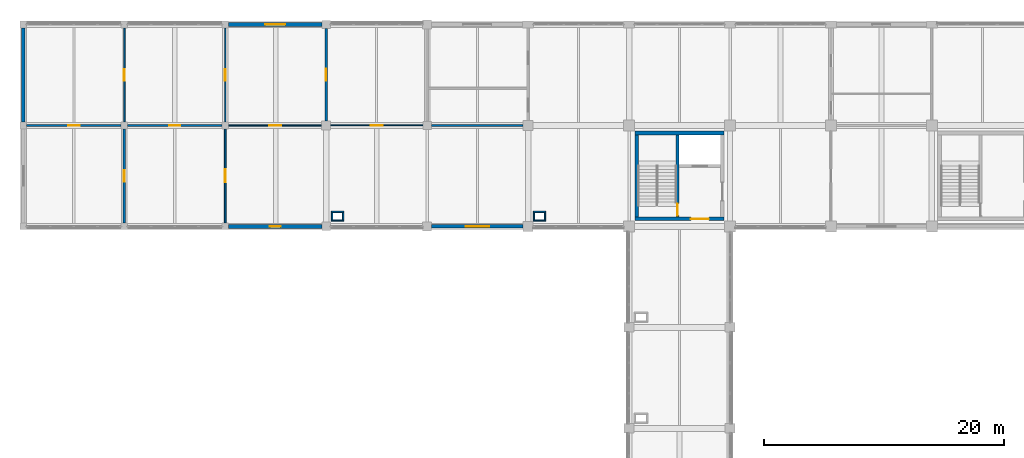
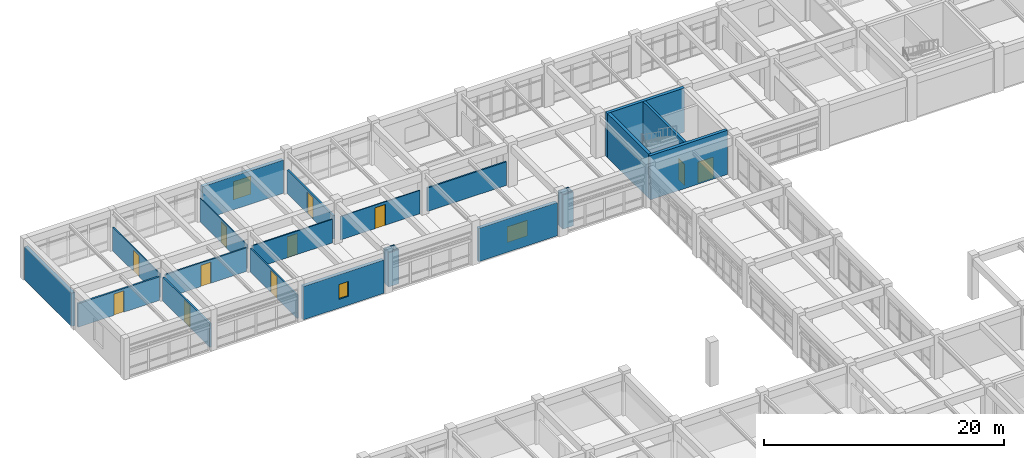
# One storey, part 86 of 99: 26 walls, 11 doors, 3 windows, 14 openings.
"""IFC4 building model written with IfcOpenShell, lengths in metres."""

from ifc_helpers import new_model, si_unit, direction, frame, frame_2d, origin, place, context, subcontext, project, spatial, rectangle, extrude, material, layer, layer_set, type_object, element, fill, save


model = new_model("IFC4")

# Units and contexts
model_context = context("Model", 3, precision=1e-05, world=origin(), true_north=direction((0.0, 1.0)))
body_context = subcontext(model_context, "Body", "Model", "MODEL_VIEW")
ifc_project = project(units=[si_unit("LENGTHUNIT", "METRE"), si_unit("AREAUNIT", "SQUARE_METRE"), si_unit("VOLUMEUNIT", "CUBIC_METRE"), si_unit("PLANEANGLEUNIT", "RADIAN"), si_unit("MASSUNIT", "GRAM", prefix="KILO")], contexts=[model_context])

# Site, building, storey
site_placement = place(None, origin())
site = spatial("IfcSite", under=ifc_project, at=site_placement, CompositionType="ELEMENT")
building_placement = place(site_placement, origin())
building = spatial("IfcBuilding", under=site, at=building_placement, Name="Porcellanite Civic Hall", CompositionType="ELEMENT")
storey_placement = place(building_placement, frame((0.0, 0.0, 5.760009765625)))
storey = spatial("IfcBuildingStorey", under=building, at=storey_placement, Name="L01", CompositionType="ELEMENT", Elevation=5.760009765625)

# Wall, opening, door
ifc_material_1 = material(Name="Concrete N40 (40 MPa)", Category="concrete")
ifc_layer_1 = layer(ifc_material_1, 0.239990234375)
ifc_layer_set_1 = layer_set([ifc_layer_1], Name="Concrete N40 (40 MPa)")
wall_type_1 = type_object("IfcWallType", Name="CW-SH240", PredefinedType="SHEAR", material=ifc_layer_set_1)
wall_1_placement = place(storey_placement, frame((54.43994140625, 101.580078125, 0.0), z_axis=(0.0, 0.0, 1.0), x_axis=(0.0, 1.0, 0.0)))
wall_1 = element("IfcWall", 1, at=wall_1_placement, inside=storey, type_object=wall_type_1, Name="Core divider C3 L01", PredefinedType="SHEAR", context=body_context, shape_type="SweptSolid", body=[
    extrude(rectangle(XDim=6.83984375, YDim=0.239990234375, at=frame_2d((3.419921875, 0.0))), origin(), (0.0, 0.0, 1.0), 4.5),
])
opening_1_placement = place(wall_1_placement, frame((0.1201171875, 0.0, 0.0)))
opening_1 = element("IfcOpeningElement", 2, at=opening_1_placement, cuts=wall_1, Name="Opening FD-C3-L01-ST", PredefinedType="OPENING", context=body_context, shape_type="SweptSolid", body=[
    extrude(rectangle(XDim=1.0, YDim=2.14990234375, at=frame_2d((0.5, 1.074951171875))), frame((0.0, 0.1201171875, 0.0), z_axis=(0.0, -1.0, 0.0), x_axis=(1.0, 0.0, 0.0)), (0.0, 0.0, 1.0), 0.239990234375),
])
ifc_material_2 = material(Name="Fire-rated solid-core hardwood timber", Category="wood")
door_type_1 = type_object("IfcDoorType", Name="DR-FD100", OperationType="NOTDEFINED", PredefinedType="DOOR", material=ifc_material_2)
door_1_placement = place(opening_1_placement, origin())
door_1 = element("IfcDoor", 3, at=door_1_placement, inside=storey, type_object=door_type_1, Name="Fire stair door FD-C3-L01-ST", OperationType="SINGLE_SWING_RIGHT", OverallHeight=2.14990234375, OverallWidth=1.0, PredefinedType="DOOR", context=body_context, shape_type="SweptSolid", body=[
    extrude(rectangle(XDim=1.0, YDim=2.14990234375, at=frame_2d((0.5, 1.074951171875))), frame((0.0, 0.02490234375, 0.0), z_axis=(0.0, -1.0, 0.0), x_axis=(1.0, 0.0, 0.0)), (0.0, 0.0, 1.0), 0.050048828125),
])
fill(opening_1, door_1)

ifc_material_3 = material(Name="Concrete N40 (40 MPa)", Category="concrete")
ifc_layer_2 = layer(ifc_material_3, 0.300048828125)
ifc_layer_set_2 = layer_set([ifc_layer_2], Name="Concrete N40 (40 MPa)")
wall_type_2 = type_object("IfcWallType", Name="CW-SH300", PredefinedType="SHEAR", material=ifc_layer_set_2)
wall_2_placement = place(storey_placement, frame((58.320068359375, 101.429931640625, 0.0), z_axis=(0.0, 0.0, 1.0), x_axis=(-1.0, 0.0, 0.0)))
wall_2 = element("IfcWall", 4, at=wall_2_placement, inside=storey, type_object=wall_type_2, Name="Core wall C3 L01 S", PredefinedType="SHEAR", context=body_context, shape_type="SweptSolid", body=[
    extrude(rectangle(XDim=7.440185546875, YDim=0.300048828125, at=frame_2d((3.72021484375, 0.0))), origin(), (0.0, 0.0, 1.0), 4.5),
])
opening_2_placement = place(wall_2_placement, frame((1.280029296875, 0.0, 0.0)))
opening_2 = element("IfcOpeningElement", 5, at=opening_2_placement, cuts=wall_2, Name="Opening FD-C3-L01-LS", PredefinedType="OPENING", context=body_context, shape_type="SweptSolid", body=[
    extrude(rectangle(XDim=1.5, YDim=2.14990234375, at=frame_2d((0.75, 1.074951171875))), frame((0.0, 0.14990234375, 0.0), z_axis=(0.0, -1.0, 0.0), x_axis=(1.0, 0.0, 0.0)), (0.0, 0.0, 1.0), 0.300048828125),
])
ifc_material_4 = material(Name="Fire-rated steel and Georgian wired glass", Category="steel")
door_type_2 = type_object("IfcDoorType", Name="DR-FD150", OperationType="DOUBLE_DOOR_SINGLE_SWING", PredefinedType="DOOR", material=ifc_material_4)
door_2_placement = place(opening_2_placement, origin())
door_2 = element("IfcDoor", 6, at=door_2_placement, inside=storey, type_object=door_type_2, Name="Fire lobby south door FD-C3-L01-LS", OperationType="DOUBLE_DOOR_SINGLE_SWING", OverallHeight=2.14990234375, OverallWidth=1.5, PredefinedType="DOOR", context=body_context, shape_type="SweptSolid", body=[
    extrude(rectangle(XDim=1.5, YDim=2.14990234375, at=frame_2d((0.75, 1.074951171875))), frame((0.0, 0.02490234375, 0.0), z_axis=(0.0, -1.0, 0.0), x_axis=(1.0, 0.0, 0.0)), (0.0, 0.0, 1.0), 0.050048828125),
])
fill(opening_2, door_2)

# Walls
wall_3_placement = place(storey_placement, frame((51.030029296875, 101.580078125, 0.0), z_axis=(0.0, 0.0, 1.0), x_axis=(0.0, 1.0, 0.0)))
element("IfcWall", 7, at=wall_3_placement, inside=storey, type_object=wall_type_2, Name="Core wall C3 L01 W", PredefinedType="SHEAR", context=body_context, shape_type="SweptSolid", body=[
    extrude(rectangle(XDim=6.83984375, YDim=0.300048828125, at=frame_2d((3.419921875, 0.0))), origin(), (0.0, 0.0, 1.0), 4.5),
])
wall_4_placement = place(storey_placement, frame((50.8798828125, 108.570068359375, 0.0), z_axis=(0.0, 0.0, 1.0), x_axis=(1.0, 0.0, 0.0)))
element("IfcWall", 8, at=wall_4_placement, inside=storey, type_object=wall_type_2, Name="Core wall C3 L01 N", PredefinedType="SHEAR", context=body_context, shape_type="SweptSolid", body=[
    extrude(rectangle(XDim=7.440185546875, YDim=0.300048828125, at=frame_2d((3.72021484375, 0.0))), origin(), (0.0, 0.0, 1.0), 4.5),
])

# Wall, opening, window
ifc_material_5 = material(Name="Precast concrete N40 (40 MPa)", Category="concrete")
ifc_layer_3 = layer(ifc_material_5, 0.300048828125)
ifc_layer_set_3 = layer_set([ifc_layer_3], Name="Precast concrete N40 (40 MPa)")
wall_type_3 = type_object("IfcWallType", Name="EW-ADM300", PredefinedType="SOLIDWALL", material=ifc_layer_set_3)
wall_5_placement = place(storey_placement, frame((41.573974609375, 100.800048828125, 0.0), z_axis=(0.0, 0.0, 1.0), x_axis=(-1.0, 0.0, 0.0)))
wall_5 = element("IfcWall", 9, at=wall_5_placement, inside=storey, type_object=wall_type_3, Name="Exterior wall L01 S 5-13", PredefinedType="SOLIDWALL", context=body_context, shape_type="SweptSolid", body=[
    extrude(rectangle(XDim=7.597900390625, YDim=0.300048828125, at=frame_2d((3.798828125, 0.0))), origin(), (0.0, 0.0, 1.0), 3.39990234375),
])
opening_3_placement = place(wall_5_placement, frame((2.823974609375, 0.0, 0.89990234375)))
opening_3 = element("IfcOpeningElement", 10, at=opening_3_placement, cuts=wall_5, Name="Opening W35", PredefinedType="OPENING", context=body_context, shape_type="SweptSolid", body=[
    extrude(rectangle(XDim=1.949951171875, YDim=1.60009765625, at=frame_2d((0.97509765625, 0.800048828125))), frame((0.0, 0.14990234375, 0.0), z_axis=(0.0, -1.0, 0.0), x_axis=(1.0, 0.0, 0.0)), (0.0, 0.0, 1.0), 0.300048828125),
])
ifc_material_6 = material(Name="Cyclone laminated low-E glazing in anodised aluminium frame", Category="aluminium")
window_type_1 = type_object("IfcWindowType", Name="WN-35", PartitioningType="DOUBLE_PANEL_VERTICAL", PredefinedType="WINDOW", material=ifc_material_6)
window_1_placement = place(opening_3_placement, origin())
window_1 = element("IfcWindow", 11, at=window_1_placement, inside=storey, type_object=window_type_1, Name="Window W35 L01 S 5-13", OverallHeight=1.60009765625, OverallWidth=1.949951171875, PartitioningType="SINGLE_PANEL", PredefinedType="WINDOW", context=body_context, shape_type="SweptSolid", body=[
    extrude(rectangle(XDim=1.949951171875, YDim=1.60009765625, at=frame_2d((0.97509765625, 0.800048828125))), frame((0.0, 0.030029296875, 0.0), z_axis=(0.0, -1.0, 0.0), x_axis=(1.0, 0.0, 0.0)), (0.0, 0.0, 1.0), 0.06005859375),
])
fill(opening_3, window_1)

# Wall
ifc_material_7 = material(Name="Precast concrete N40 (40 MPa)", Category="concrete")
ifc_layer_4 = layer(ifc_material_7, 0.320068359375)
ifc_layer_set_4 = layer_set([ifc_layer_4], Name="Precast concrete N40 (40 MPa)")
wall_type_4 = type_object("IfcWallType", Name="EW-COM320", PredefinedType="SOLIDWALL", material=ifc_layer_set_4)
wall_6_placement = place(storey_placement, frame((0.0, 109.47607421875, 0.0), z_axis=(0.0, 0.0, 1.0), x_axis=(0.0, 1.0, 0.0)))
element("IfcWall", 12, at=wall_6_placement, inside=storey, type_object=wall_type_4, Name="Exterior wall L01 W 1-14", PredefinedType="SOLIDWALL", context=body_context, shape_type="SweptSolid", body=[
    extrude(rectangle(XDim=7.847900390625, YDim=0.320068359375, at=frame_2d((3.923828125, 0.0))), origin(), (0.0, 0.0, 1.0), 3.39990234375),
])

# Wall, opening, window
wall_7_placement = place(storey_placement, frame((24.84912109375, 100.800048828125, 0.0), z_axis=(0.0, 0.0, 1.0), x_axis=(-1.0, 0.0, 0.0)))
wall_7 = element("IfcWall", 13, at=wall_7_placement, inside=storey, type_object=wall_type_4, Name="Exterior wall L01 S 3-13", PredefinedType="SOLIDWALL", context=body_context, shape_type="SweptSolid", body=[
    extrude(rectangle(XDim=7.773193359375, YDim=0.320068359375, at=frame_2d((3.88671875, 0.0))), origin(), (0.0, 0.0, 1.0), 3.39990234375),
])
opening_4_placement = place(wall_7_placement, frame((3.43603515625, 0.0, 0.89990234375)))
opening_4 = element("IfcOpeningElement", 14, at=opening_4_placement, cuts=wall_7, Name="Opening W26", PredefinedType="OPENING", context=body_context, shape_type="SweptSolid", body=[
    extrude(rectangle(XDim=0.89990234375, YDim=1.5, at=frame_2d((0.449951171875, 0.75))), frame((0.0, 0.16015625, 0.0), z_axis=(0.0, -1.0, 0.0), x_axis=(1.0, 0.0, 0.0)), (0.0, 0.0, 1.0), 0.320068359375),
])
ifc_material_8 = material(Name="Cyclone laminated low-E glazing in anodised aluminium frame", Category="aluminium")
window_type_2 = type_object("IfcWindowType", Name="WN-26", PartitioningType="SINGLE_PANEL", PredefinedType="WINDOW", material=ifc_material_8)
window_2_placement = place(opening_4_placement, origin())
window_2 = element("IfcWindow", 15, at=window_2_placement, inside=storey, type_object=window_type_2, Name="Window W26 L01 S 3-13", OverallHeight=1.5, OverallWidth=0.89990234375, PartitioningType="SINGLE_PANEL", PredefinedType="WINDOW", context=body_context, shape_type="SweptSolid", body=[
    extrude(rectangle(XDim=0.89990234375, YDim=1.5, at=frame_2d((0.449951171875, 0.75))), frame((0.0, 0.030029296875, 0.0), z_axis=(0.0, -1.0, 0.0), x_axis=(1.0, 0.0, 0.0)), (0.0, 0.0, 1.0), 0.06005859375),
])
fill(opening_4, window_2)

wall_8_placement = place(storey_placement, frame((17.075927734375, 117.60009765625, 0.0), z_axis=(0.0, 0.0, 1.0), x_axis=(1.0, 0.0, 0.0)))
wall_8 = element("IfcWall", 16, at=wall_8_placement, inside=storey, type_object=wall_type_4, Name="Exterior wall L01 N 3-14", PredefinedType="SOLIDWALL", context=body_context, shape_type="SweptSolid", body=[
    extrude(rectangle(XDim=7.773193359375, YDim=0.320068359375, at=frame_2d((3.88671875, 0.0))), origin(), (0.0, 0.0, 1.0), 3.39990234375),
])
opening_5_placement = place(wall_8_placement, frame((3.035888671875, 0.0, 0.89990234375)))
opening_5 = element("IfcOpeningElement", 17, at=opening_5_placement, cuts=wall_8, Name="Opening W27", PredefinedType="OPENING", context=body_context, shape_type="SweptSolid", body=[
    extrude(rectangle(XDim=1.699951171875, YDim=1.85009765625, at=frame_2d((0.85009765625, 0.925048828125))), frame((0.0, 0.16015625, 0.0), z_axis=(0.0, -1.0, 0.0), x_axis=(1.0, 0.0, 0.0)), (0.0, 0.0, 1.0), 0.320068359375),
])
ifc_material_9 = material(Name="Cyclone laminated low-E glazing in anodised aluminium frame", Category="aluminium")
window_type_3 = type_object("IfcWindowType", Name="WN-27", PartitioningType="DOUBLE_PANEL_VERTICAL", PredefinedType="WINDOW", material=ifc_material_9)
window_3_placement = place(opening_5_placement, origin())
window_3 = element("IfcWindow", 18, at=window_3_placement, inside=storey, type_object=window_type_3, Name="Window W27 L01 N 3-14", OverallHeight=1.85009765625, OverallWidth=1.699951171875, PartitioningType="SINGLE_PANEL", PredefinedType="WINDOW", context=body_context, shape_type="SweptSolid", body=[
    extrude(rectangle(XDim=1.699951171875, YDim=1.85009765625, at=frame_2d((0.85009765625, 0.925048828125))), frame((0.0, 0.030029296875, 0.0), z_axis=(0.0, -1.0, 0.0), x_axis=(1.0, 0.0, 0.0)), (0.0, 0.0, 1.0), 0.06005859375),
])
fill(opening_5, window_3)

# Walls
ifc_material_10 = material(Name="Fire-rated shaftwall plasterboard on steel studs", Category="steel")
ifc_layer_5 = layer(ifc_material_10, 0.117919921875)
ifc_layer_set_5 = layer_set([ifc_layer_5], Name="Fire-rated shaftwall plasterboard on steel studs")
wall_type_5 = type_object("IfcWallType", Name="IW-FR118", PredefinedType="PARTITIONING", material=ifc_layer_set_5)
for number, where, z_axis, x_axis, name in (
    (19, (25.632080078125, 101.291015625, 0.0), (0.0, 0.0, 1.0), (1.0, 0.0, 0.0), "Fire riser shaftwall S L01 3-12"),
    (20, (25.632080078125, 102.009033203125, 0.0), (0.0, 0.0, 1.0), (1.0, 0.0, 0.0), "Fire riser shaftwall N L01 3-12"),
):
    element("IfcWall", number, at=place(storey_placement, frame(where, z_axis=z_axis, x_axis=x_axis)), inside=storey, type_object=wall_type_5, Name=name, PredefinedType="PARTITIONING", context=body_context, shape_type="SweptSolid", body=[
        extrude(rectangle(XDim=1.035888671875, YDim=0.117919921875, at=frame_2d((0.51806640625, 0.0))), origin(), (0.0, 0.0, 1.0), 3.47998046875),
    ])
for number, where, z_axis, x_axis, name in (
    (21, (25.69091796875, 101.35009765625, 0.0), (0.0, 0.0, 1.0), (0.0, 1.0, 0.0), "Fire riser shaftwall W L01 3-12"),
    (22, (26.60888671875, 101.35009765625, 0.0), (0.0, 0.0, 1.0), (0.0, 1.0, 0.0), "Fire riser shaftwall E L01 3-12"),
):
    element("IfcWall", number, at=place(storey_placement, frame(where, z_axis=z_axis, x_axis=x_axis)), inside=storey, type_object=wall_type_5, Name=name, PredefinedType="PARTITIONING", context=body_context, shape_type="SweptSolid", body=[
        extrude(rectangle(XDim=0.599853515625, YDim=0.117919921875, at=frame_2d((0.2998046875, 0.0))), origin(), (0.0, 0.0, 1.0), 3.47998046875),
    ])
for number, where, z_axis, x_axis, name in (
    (23, (42.431884765625, 101.291015625, 0.0), (0.0, 0.0, 1.0), (1.0, 0.0, 0.0), "Fire riser shaftwall S L01 5-12"),
    (24, (42.431884765625, 102.009033203125, 0.0), (0.0, 0.0, 1.0), (1.0, 0.0, 0.0), "Fire riser shaftwall N L01 5-12"),
):
    element("IfcWall", number, at=place(storey_placement, frame(where, z_axis=z_axis, x_axis=x_axis)), inside=storey, type_object=wall_type_5, Name=name, PredefinedType="PARTITIONING", context=body_context, shape_type="SweptSolid", body=[
        extrude(rectangle(XDim=1.0361328125, YDim=0.117919921875, at=frame_2d((0.51806640625, 0.0))), origin(), (0.0, 0.0, 1.0), 3.47998046875),
    ])
for number, where, z_axis, x_axis, name in (
    (25, (42.490966796875, 101.35009765625, 0.0), (0.0, 0.0, 1.0), (0.0, 1.0, 0.0), "Fire riser shaftwall W L01 5-12"),
    (26, (43.408935546875, 101.35009765625, 0.0), (0.0, 0.0, 1.0), (0.0, 1.0, 0.0), "Fire riser shaftwall E L01 5-12"),
):
    element("IfcWall", number, at=place(storey_placement, frame(where, z_axis=z_axis, x_axis=x_axis)), inside=storey, type_object=wall_type_5, Name=name, PredefinedType="PARTITIONING", context=body_context, shape_type="SweptSolid", body=[
        extrude(rectangle(XDim=0.599853515625, YDim=0.117919921875, at=frame_2d((0.2998046875, 0.0))), origin(), (0.0, 0.0, 1.0), 3.47998046875),
    ])
ifc_material_11 = material(Name="Fire-rated plasterboard on light-gauge steel studs", Category="steel")
ifc_layer_6 = layer(ifc_material_11, 0.14794921875)
ifc_layer_set_6 = layer_set([ifc_layer_6], Name="Fire-rated plasterboard on light-gauge steel studs")
wall_type_6 = type_object("IfcWallType", Name="IW-FR148", PredefinedType="PARTITIONING", material=ifc_layer_set_6)
wall_9_placement = place(storey_placement, frame((33.951904296875, 109.199951171875, 0.0), z_axis=(0.0, 0.0, 1.0), x_axis=(1.0, 0.0, 0.0)))
element("IfcWall", 27, at=wall_9_placement, inside=storey, type_object=wall_type_6, Name="Fire compartment wall L01 H 5-13", PredefinedType="PARTITIONING", context=body_context, shape_type="SweptSolid", body=[
    extrude(rectangle(XDim=7.62109375, YDim=0.14794921875, at=frame_2d((3.810546875, 0.0))), origin(), (0.0, 0.0, 1.0), 2.39990234375),
])

# Wall, opening, door
ifc_material_12 = material(Name="Insulated acoustic plasterboard on light-gauge steel studs", Category="steel")
ifc_layer_7 = layer(ifc_material_12, 0.087890625)
ifc_layer_set_7 = layer_set([ifc_layer_7], Name="Insulated acoustic plasterboard on light-gauge steel studs")
wall_type_7 = type_object("IfcWallType", Name="IW-PT088", PredefinedType="PARTITIONING", material=ifc_layer_set_7)
wall_10_placement = place(storey_placement, frame((25.576904296875, 109.199951171875, 0.0), z_axis=(0.0, 0.0, 1.0), x_axis=(1.0, 0.0, 0.0)))
wall_10 = element("IfcWall", 28, at=wall_10_placement, inside=storey, type_object=wall_type_7, Name="Partition L01 H 4-13", PredefinedType="PARTITIONING", context=body_context, shape_type="SweptSolid", body=[
    extrude(rectangle(XDim=7.671142578125, YDim=0.087890625, at=frame_2d((3.83544921875, 0.0))), origin(), (0.0, 0.0, 1.0), 2.39990234375),
])
opening_6_placement = place(wall_10_placement, frame((3.35107421875, 0.0, 0.0)))
opening_6 = element("IfcOpeningElement", 29, at=opening_6_placement, cuts=wall_10, Name="Opening D-L01-193", PredefinedType="OPENING", context=body_context, shape_type="SweptSolid", body=[
    extrude(rectangle(XDim=0.969970703125, YDim=2.1201171875, at=frame_2d((0.48486328125, 1.06005859375))), frame((0.0, 0.0439453125, 0.0), z_axis=(0.0, -1.0, 0.0), x_axis=(1.0, 0.0, 0.0)), (0.0, 0.0, 1.0), 0.087890625),
])
ifc_material_13 = material(Name="Solid-core spotted-gum timber", Category="wood")
door_type_3 = type_object("IfcDoorType", Name="DR-RM097", OperationType="NOTDEFINED", PredefinedType="DOOR", material=ifc_material_13)
door_3_placement = place(opening_6_placement, origin())
door_3 = element("IfcDoor", 30, at=door_3_placement, inside=storey, type_object=door_type_3, Name="Interior door D-L01-193", OperationType="SINGLE_SWING_LEFT", OverallHeight=2.1201171875, OverallWidth=0.969970703125, PredefinedType="DOOR", context=body_context, shape_type="SweptSolid", body=[
    extrude(rectangle(XDim=0.969970703125, YDim=2.1201171875, at=frame_2d((0.48486328125, 1.06005859375))), frame((0.0, 0.02490234375, 0.0), z_axis=(0.0, -1.0, 0.0), x_axis=(1.0, 0.0, 0.0)), (0.0, 0.0, 1.0), 0.050048828125),
])
fill(opening_6, door_3)

ifc_material_14 = material(Name="Insulated acoustic plasterboard on light-gauge steel studs", Category="steel")
ifc_layer_8 = layer(ifc_material_14, 0.094970703125)
ifc_layer_set_8 = layer_set([ifc_layer_8], Name="Insulated acoustic plasterboard on light-gauge steel studs")
wall_type_8 = type_object("IfcWallType", Name="IW-PT095", PredefinedType="PARTITIONING", material=ifc_layer_set_8)
wall_11_placement = place(storey_placement, frame((16.800048828125, 109.47705078125, 0.0), z_axis=(0.0, 0.0, 1.0), x_axis=(0.0, 1.0, 0.0)))
wall_11 = element("IfcWall", 31, at=wall_11_placement, inside=storey, type_object=wall_type_8, Name="Partition L01 V 2-14", PredefinedType="PARTITIONING", context=body_context, shape_type="SweptSolid", body=[
    extrude(rectangle(XDim=7.845947265625, YDim=0.094970703125, at=frame_2d((3.9228515625, 0.0))), origin(), (0.0, 0.0, 1.0), 2.39990234375),
])
opening_7_placement = place(wall_11_placement, frame((3.4580078125, 0.0, 0.0)))
opening_7 = element("IfcOpeningElement", 32, at=opening_7_placement, cuts=wall_11, Name="Opening D-L01-285", PredefinedType="OPENING", context=body_context, shape_type="SweptSolid", body=[
    extrude(rectangle(XDim=0.929931640625, YDim=2.1201171875, at=frame_2d((0.46484375, 1.06005859375))), frame((0.0, 0.04736328125, 0.0), z_axis=(0.0, -1.0, 0.0), x_axis=(1.0, 0.0, 0.0)), (0.0, 0.0, 1.0), 0.094970703125),
])
ifc_material_15 = material(Name="Solid-core spotted-gum timber", Category="wood")
door_type_4 = type_object("IfcDoorType", Name="DR-RM093", OperationType="NOTDEFINED", PredefinedType="DOOR", material=ifc_material_15)
door_4_placement = place(opening_7_placement, origin())
door_4 = element("IfcDoor", 33, at=door_4_placement, inside=storey, type_object=door_type_4, Name="Interior door D-L01-285", OperationType="SINGLE_SWING_LEFT", OverallHeight=2.1201171875, OverallWidth=0.929931640625, PredefinedType="DOOR", context=body_context, shape_type="SweptSolid", body=[
    extrude(rectangle(XDim=0.929931640625, YDim=2.1201171875, at=frame_2d((0.46484375, 1.06005859375))), frame((0.0, 0.02490234375, 0.0), z_axis=(0.0, -1.0, 0.0), x_axis=(1.0, 0.0, 0.0)), (0.0, 0.0, 1.0), 0.050048828125),
])
fill(opening_7, door_4)

ifc_material_16 = material(Name="Insulated acoustic plasterboard on light-gauge steel studs", Category="steel")
ifc_layer_9 = layer(ifc_material_16, 0.114990234375)
ifc_layer_set_9 = layer_set([ifc_layer_9], Name="Insulated acoustic plasterboard on light-gauge steel studs")
wall_type_9 = type_object("IfcWallType", Name="IW-PT115", PredefinedType="PARTITIONING", material=ifc_layer_set_9)
wall_12_placement = place(storey_placement, frame((17.076904296875, 109.199951171875, 0.0), z_axis=(0.0, 0.0, 1.0), x_axis=(1.0, 0.0, 0.0)))
wall_12 = element("IfcWall", 34, at=wall_12_placement, inside=storey, type_object=wall_type_9, Name="Partition L01 H 3-13", PredefinedType="PARTITIONING", context=body_context, shape_type="SweptSolid", body=[
    extrude(rectangle(XDim=7.74609375, YDim=0.114990234375, at=frame_2d((3.873046875, 0.0))), origin(), (0.0, 0.0, 1.0), 2.39990234375),
])
opening_8_placement = place(wall_12_placement, frame((3.367919921875, 0.0, 0.0)))
opening_8 = element("IfcOpeningElement", 35, at=opening_8_placement, cuts=wall_12, Name="Opening D-L01-192", PredefinedType="OPENING", context=body_context, shape_type="SweptSolid", body=[
    extrude(rectangle(XDim=1.010009765625, YDim=2.1201171875, at=frame_2d((0.5048828125, 1.06005859375))), frame((0.0, 0.0576171875, 0.0), z_axis=(0.0, -1.0, 0.0), x_axis=(1.0, 0.0, 0.0)), (0.0, 0.0, 1.0), 0.114990234375),
])
ifc_material_17 = material(Name="Solid-core spotted-gum timber", Category="wood")
door_type_5 = type_object("IfcDoorType", Name="DR-RM101", OperationType="NOTDEFINED", PredefinedType="DOOR", material=ifc_material_17)
door_5_placement = place(opening_8_placement, origin())
door_5 = element("IfcDoor", 36, at=door_5_placement, inside=storey, type_object=door_type_5, Name="Interior door D-L01-192", OperationType="SINGLE_SWING_RIGHT", OverallHeight=2.1201171875, OverallWidth=1.010009765625, PredefinedType="DOOR", context=body_context, shape_type="SweptSolid", body=[
    extrude(rectangle(XDim=1.010009765625, YDim=2.1201171875, at=frame_2d((0.5048828125, 1.06005859375))), frame((0.0, 0.02490234375, 0.0), z_axis=(0.0, -1.0, 0.0), x_axis=(1.0, 0.0, 0.0)), (0.0, 0.0, 1.0), 0.050048828125),
])
fill(opening_8, door_5)

ifc_material_18 = material(Name="Insulated acoustic plasterboard on light-gauge steel studs", Category="steel")
ifc_layer_10 = layer(ifc_material_18, 0.125)
ifc_layer_set_10 = layer_set([ifc_layer_10], Name="Insulated acoustic plasterboard on light-gauge steel studs")
wall_type_10 = type_object("IfcWallType", Name="IW-PT125", PredefinedType="PARTITIONING", material=ifc_layer_set_10)
wall_13_placement = place(storey_placement, frame((8.39990234375, 109.47705078125, 0.0), z_axis=(0.0, 0.0, 1.0), x_axis=(0.0, 1.0, 0.0)))
wall_13 = element("IfcWall", 37, at=wall_13_placement, inside=storey, type_object=wall_type_10, Name="Partition L01 V 1-14", PredefinedType="PARTITIONING", context=body_context, shape_type="SweptSolid", body=[
    extrude(rectangle(XDim=7.845947265625, YDim=0.125, at=frame_2d((3.9228515625, 0.0))), origin(), (0.0, 0.0, 1.0), 2.39990234375),
])
opening_9_placement = place(wall_13_placement, frame((3.452880859375, 0.0, 0.0)))
opening_9 = element("IfcOpeningElement", 38, at=opening_9_placement, cuts=wall_13, Name="Opening D-L01-280", PredefinedType="OPENING", context=body_context, shape_type="SweptSolid", body=[
    extrude(rectangle(XDim=0.93994140625, YDim=2.14990234375, at=frame_2d((0.469970703125, 1.074951171875))), frame((0.0, 0.0625, 0.0), z_axis=(0.0, -1.0, 0.0), x_axis=(1.0, 0.0, 0.0)), (0.0, 0.0, 1.0), 0.125),
])
ifc_material_19 = material(Name="Solid-core spotted-gum timber", Category="wood")
door_type_6 = type_object("IfcDoorType", Name="DR-RM094", OperationType="NOTDEFINED", PredefinedType="DOOR", material=ifc_material_19)
door_6_placement = place(opening_9_placement, origin())
door_6 = element("IfcDoor", 39, at=door_6_placement, inside=storey, type_object=door_type_6, Name="Interior door D-L01-280", OperationType="SINGLE_SWING_RIGHT", OverallHeight=2.14990234375, OverallWidth=0.93994140625, PredefinedType="DOOR", context=body_context, shape_type="SweptSolid", body=[
    extrude(rectangle(XDim=0.93994140625, YDim=2.14990234375, at=frame_2d((0.469970703125, 1.074951171875))), frame((0.0, 0.02490234375, 0.0), z_axis=(0.0, -1.0, 0.0), x_axis=(1.0, 0.0, 0.0)), (0.0, 0.0, 1.0), 0.050048828125),
])
fill(opening_9, door_6)

ifc_material_20 = material(Name="Insulated acoustic plasterboard on light-gauge steel studs", Category="steel")
ifc_layer_11 = layer(ifc_material_20, 0.14501953125)
ifc_layer_set_11 = layer_set([ifc_layer_11], Name="Insulated acoustic plasterboard on light-gauge steel studs")
wall_type_11 = type_object("IfcWallType", Name="IW-PT145", PredefinedType="PARTITIONING", material=ifc_layer_set_11)
wall_14_placement = place(storey_placement, frame((8.677001953125, 109.199951171875, 0.0), z_axis=(0.0, 0.0, 1.0), x_axis=(1.0, 0.0, 0.0)))
wall_14 = element("IfcWall", 40, at=wall_14_placement, inside=storey, type_object=wall_type_11, Name="Partition L01 H 2-13", PredefinedType="PARTITIONING", context=body_context, shape_type="SweptSolid", body=[
    extrude(rectangle(XDim=7.845947265625, YDim=0.14501953125, at=frame_2d((3.9228515625, 0.0))), origin(), (0.0, 0.0, 1.0), 2.39990234375),
])
opening_10_placement = place(wall_14_placement, frame((3.462890625, 0.0, 0.0)))
opening_10 = element("IfcOpeningElement", 41, at=opening_10_placement, cuts=wall_14, Name="Opening D-L01-229", PredefinedType="OPENING", context=body_context, shape_type="SweptSolid", body=[
    extrude(rectangle(XDim=0.919921875, YDim=2.14990234375, at=frame_2d((0.4599609375, 1.074951171875))), frame((0.0, 0.072509765625, 0.0), z_axis=(0.0, -1.0, 0.0), x_axis=(1.0, 0.0, 0.0)), (0.0, 0.0, 1.0), 0.14501953125),
])
ifc_material_21 = material(Name="Solid-core spotted-gum timber", Category="wood")
door_type_7 = type_object("IfcDoorType", Name="DR-RM092", OperationType="NOTDEFINED", PredefinedType="DOOR", material=ifc_material_21)
door_7_placement = place(opening_10_placement, origin())
door_7 = element("IfcDoor", 42, at=door_7_placement, inside=storey, type_object=door_type_7, Name="Interior door D-L01-229", OperationType="SINGLE_SWING_LEFT", OverallHeight=2.14990234375, OverallWidth=0.919921875, PredefinedType="DOOR", context=body_context, shape_type="SweptSolid", body=[
    extrude(rectangle(XDim=0.919921875, YDim=2.14990234375, at=frame_2d((0.4599609375, 1.074951171875))), frame((0.0, 0.02490234375, 0.0), z_axis=(0.0, -1.0, 0.0), x_axis=(1.0, 0.0, 0.0)), (0.0, 0.0, 1.0), 0.050048828125),
])
fill(opening_10, door_7)

wall_15_placement = place(storey_placement, frame((16.800048828125, 101.076904296875, 0.0), z_axis=(0.0, 0.0, 1.0), x_axis=(0.0, 1.0, 0.0)))
wall_15 = element("IfcWall", 43, at=wall_15_placement, inside=storey, type_object=wall_type_11, Name="Partition L01 V 2-13", PredefinedType="PARTITIONING", context=body_context, shape_type="SweptSolid", body=[
    extrude(rectangle(XDim=7.84619140625, YDim=0.14501953125, at=frame_2d((3.923095703125, 0.0))), origin(), (0.0, 0.0, 1.0), 2.39990234375),
])
opening_11_placement = place(wall_15_placement, frame((3.383056640625, 0.0, 0.0)))
opening_11 = element("IfcOpeningElement", 44, at=opening_11_placement, cuts=wall_15, Name="Opening D-L01-208", PredefinedType="OPENING", context=body_context, shape_type="SweptSolid", body=[
    extrude(rectangle(XDim=1.080078125, YDim=2.219970703125, at=frame_2d((0.5400390625, 1.10986328125))), frame((0.0, 0.072509765625, 0.0), z_axis=(0.0, -1.0, 0.0), x_axis=(1.0, 0.0, 0.0)), (0.0, 0.0, 1.0), 0.14501953125),
])
ifc_material_22 = material(Name="Solid-core spotted-gum timber", Category="wood")
door_type_8 = type_object("IfcDoorType", Name="DR-RM108", OperationType="NOTDEFINED", PredefinedType="DOOR", material=ifc_material_22)
door_8_placement = place(opening_11_placement, origin())
door_8 = element("IfcDoor", 45, at=door_8_placement, inside=storey, type_object=door_type_8, Name="Interior door D-L01-208", OperationType="SINGLE_SWING_RIGHT", OverallHeight=2.219970703125, OverallWidth=1.080078125, PredefinedType="DOOR", context=body_context, shape_type="SweptSolid", body=[
    extrude(rectangle(XDim=1.080078125, YDim=2.219970703125, at=frame_2d((0.5400390625, 1.10986328125))), frame((0.0, 0.02490234375, 0.0), z_axis=(0.0, -1.0, 0.0), x_axis=(1.0, 0.0, 0.0)), (0.0, 0.0, 1.0), 0.050048828125),
])
fill(opening_11, door_8)

ifc_material_23 = material(Name="Insulated acoustic plasterboard on light-gauge steel studs", Category="steel")
ifc_layer_12 = layer(ifc_material_23, 0.175048828125)
ifc_layer_set_12 = layer_set([ifc_layer_12], Name="Insulated acoustic plasterboard on light-gauge steel studs")
wall_type_12 = type_object("IfcWallType", Name="IW-PT175", PredefinedType="PARTITIONING", material=ifc_layer_set_12)
wall_16_placement = place(storey_placement, frame((0.277099609375, 109.199951171875, 0.0), z_axis=(0.0, 0.0, 1.0), x_axis=(1.0, 0.0, 0.0)))
wall_16 = element("IfcWall", 46, at=wall_16_placement, inside=storey, type_object=wall_type_12, Name="Partition L01 H 1-13", PredefinedType="PARTITIONING", context=body_context, shape_type="SweptSolid", body=[
    extrude(rectangle(XDim=7.845947265625, YDim=0.175048828125, at=frame_2d((3.9228515625, 0.0))), origin(), (0.0, 0.0, 1.0), 2.39990234375),
])
opening_12_placement = place(wall_16_placement, frame((3.443115234375, 0.0, 0.0)))
opening_12 = element("IfcOpeningElement", 47, at=opening_12_placement, cuts=wall_16, Name="Opening D-L01-227", PredefinedType="OPENING", context=body_context, shape_type="SweptSolid", body=[
    extrude(rectangle(XDim=0.9599609375, YDim=2.179931640625, at=frame_2d((0.47998046875, 1.08984375))), frame((0.0, 0.08740234375, 0.0), z_axis=(0.0, -1.0, 0.0), x_axis=(1.0, 0.0, 0.0)), (0.0, 0.0, 1.0), 0.175048828125),
])
ifc_material_24 = material(Name="Solid-core spotted-gum timber", Category="wood")
door_type_9 = type_object("IfcDoorType", Name="DR-RM096", OperationType="NOTDEFINED", PredefinedType="DOOR", material=ifc_material_24)
door_9_placement = place(opening_12_placement, origin())
door_9 = element("IfcDoor", 48, at=door_9_placement, inside=storey, type_object=door_type_9, Name="Interior door D-L01-227", OperationType="SINGLE_SWING_LEFT", OverallHeight=2.179931640625, OverallWidth=0.9599609375, PredefinedType="DOOR", context=body_context, shape_type="SweptSolid", body=[
    extrude(rectangle(XDim=0.9599609375, YDim=2.179931640625, at=frame_2d((0.47998046875, 1.08984375))), frame((0.0, 0.02490234375, 0.0), z_axis=(0.0, -1.0, 0.0), x_axis=(1.0, 0.0, 0.0)), (0.0, 0.0, 1.0), 0.050048828125),
])
fill(opening_12, door_9)

wall_17_placement = place(storey_placement, frame((8.39990234375, 101.076904296875, 0.0), z_axis=(0.0, 0.0, 1.0), x_axis=(0.0, 1.0, 0.0)))
wall_17 = element("IfcWall", 49, at=wall_17_placement, inside=storey, type_object=wall_type_12, Name="Partition L01 V 1-13", PredefinedType="PARTITIONING", context=body_context, shape_type="SweptSolid", body=[
    extrude(rectangle(XDim=7.84619140625, YDim=0.175048828125, at=frame_2d((3.923095703125, 0.0))), origin(), (0.0, 0.0, 1.0), 2.39990234375),
])
opening_13_placement = place(wall_17_placement, frame((3.43310546875, 0.0, 0.0)))
opening_13 = element("IfcOpeningElement", 50, at=opening_13_placement, cuts=wall_17, Name="Opening D-L01-265", PredefinedType="OPENING", context=body_context, shape_type="SweptSolid", body=[
    extrude(rectangle(XDim=0.97998046875, YDim=2.179931640625, at=frame_2d((0.489990234375, 1.08984375))), frame((0.0, 0.08740234375, 0.0), z_axis=(0.0, -1.0, 0.0), x_axis=(1.0, 0.0, 0.0)), (0.0, 0.0, 1.0), 0.175048828125),
])
ifc_material_25 = material(Name="Solid-core spotted-gum timber", Category="wood")
door_type_10 = type_object("IfcDoorType", Name="DR-RM098", OperationType="NOTDEFINED", PredefinedType="DOOR", material=ifc_material_25)
door_10_placement = place(opening_13_placement, origin())
door_10 = element("IfcDoor", 51, at=door_10_placement, inside=storey, type_object=door_type_10, Name="Interior door D-L01-265", OperationType="SINGLE_SWING_LEFT", OverallHeight=2.179931640625, OverallWidth=0.97998046875, PredefinedType="DOOR", context=body_context, shape_type="SweptSolid", body=[
    extrude(rectangle(XDim=0.97998046875, YDim=2.179931640625, at=frame_2d((0.489990234375, 1.08984375))), frame((0.0, 0.02490234375, 0.0), z_axis=(0.0, -1.0, 0.0), x_axis=(1.0, 0.0, 0.0)), (0.0, 0.0, 1.0), 0.050048828125),
])
fill(opening_13, door_10)

ifc_material_26 = material(Name="Insulated acoustic plasterboard on light-gauge steel studs", Category="steel")
ifc_layer_13 = layer(ifc_material_26, 0.18505859375)
ifc_layer_set_13 = layer_set([ifc_layer_13], Name="Insulated acoustic plasterboard on light-gauge steel studs")
wall_type_13 = type_object("IfcWallType", Name="IW-PT185", PredefinedType="PARTITIONING", material=ifc_layer_set_13)
wall_18_placement = place(storey_placement, frame((25.199951171875, 109.576904296875, 0.0), z_axis=(0.0, 0.0, 1.0), x_axis=(0.0, 1.0, 0.0)))
wall_18 = element("IfcWall", 52, at=wall_18_placement, inside=storey, type_object=wall_type_13, Name="Partition L01 V 3-14", PredefinedType="PARTITIONING", context=body_context, shape_type="SweptSolid", body=[
    extrude(rectangle(XDim=7.671142578125, YDim=0.18505859375, at=frame_2d((3.83544921875, 0.0))), origin(), (0.0, 0.0, 1.0), 2.39990234375),
])
opening_14_placement = place(wall_18_placement, frame((3.3359375, 0.0, 0.0)))
opening_14 = element("IfcOpeningElement", 53, at=opening_14_placement, cuts=wall_18, Name="Opening D-L01-290", PredefinedType="OPENING", context=body_context, shape_type="SweptSolid", body=[
    extrude(rectangle(XDim=1.0, YDim=2.199951171875, at=frame_2d((0.5, 1.10009765625))), frame((0.0, 0.092529296875, 0.0), z_axis=(0.0, -1.0, 0.0), x_axis=(1.0, 0.0, 0.0)), (0.0, 0.0, 1.0), 0.18505859375),
])
ifc_material_27 = material(Name="Solid-core spotted-gum timber", Category="wood")
door_type_11 = type_object("IfcDoorType", Name="DR-RM100", OperationType="NOTDEFINED", PredefinedType="DOOR", material=ifc_material_27)
door_11_placement = place(opening_14_placement, origin())
door_11 = element("IfcDoor", 54, at=door_11_placement, inside=storey, type_object=door_type_11, Name="Interior door D-L01-290", OperationType="SINGLE_SWING_RIGHT", OverallHeight=2.199951171875, OverallWidth=1.0, PredefinedType="DOOR", context=body_context, shape_type="SweptSolid", body=[
    extrude(rectangle(XDim=1.0, YDim=2.199951171875, at=frame_2d((0.5, 1.10009765625))), frame((0.0, 0.02490234375, 0.0), z_axis=(0.0, -1.0, 0.0), x_axis=(1.0, 0.0, 0.0)), (0.0, 0.0, 1.0), 0.050048828125),
])
fill(opening_14, door_11)

save(model, "model.ifc")
